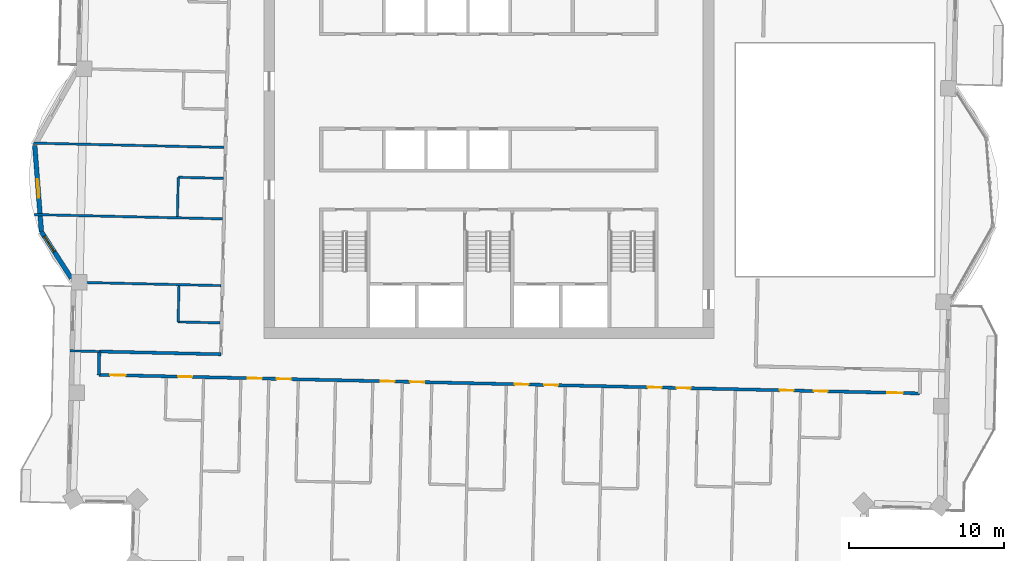
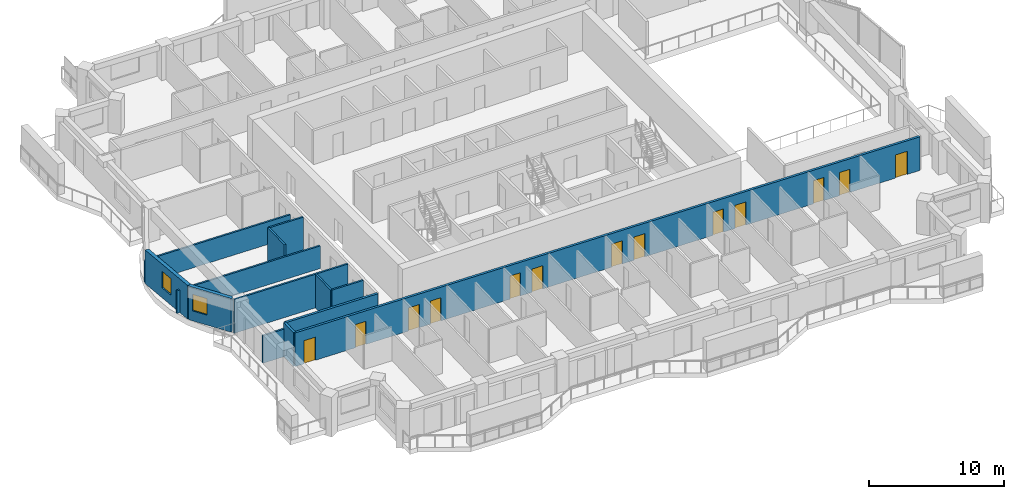
# One storey, part 7 of 17: 13 doors, 13 walls, 2 windows, 15 openings.
"""IFC4 building model written with IfcOpenShell, lengths in metres."""

from ifc_helpers import new_model, si_unit, direction, frame, frame_2d, origin, place, context, subcontext, project, spatial, rectangle, extrude, material, layer, layer_set, type_object, element, fill, save


model = new_model("IFC4")

# Units and contexts
model_context = context("Model", 3, precision=1e-05, world=origin(), true_north=direction((0.0, 1.0)))
body_context = subcontext(model_context, "Body", "Model", "MODEL_VIEW")
ifc_project = project(units=[si_unit("LENGTHUNIT", "METRE"), si_unit("AREAUNIT", "SQUARE_METRE"), si_unit("VOLUMEUNIT", "CUBIC_METRE"), si_unit("PLANEANGLEUNIT", "RADIAN"), si_unit("MASSUNIT", "GRAM", prefix="KILO")], contexts=[model_context])

# Site, building, storey
site_placement = place(None, origin())
site = spatial("IfcSite", under=ifc_project, at=site_placement, CompositionType="ELEMENT")
building_placement = place(site_placement, origin())
building = spatial("IfcBuilding", under=site, at=building_placement, Name="Mangrove Gate Tower", CompositionType="ELEMENT")
storey_placement = place(building_placement, frame((0.0, 0.0, 257.300048828125)))
storey = spatial("IfcBuildingStorey", under=building, at=storey_placement, Name="L65", CompositionType="ELEMENT", Elevation=257.300048828125)

# Wall
ifc_material_1 = material(Name="Gypsum board on steel stud, EI 60", Category="steel")
ifc_layer_1 = layer(ifc_material_1, 0.199951171875)
ifc_layer_set_1 = layer_set([ifc_layer_1], Name="Corridor wall EI 60")
wall_type_1 = type_object("IfcWallType", Name="Corridor wall EI 60", PredefinedType="PARTITIONING", material=ifc_layer_set_1)
wall_1_placement = place(storey_placement, frame((-25.1240234375, -13.846923828125, 0.0), z_axis=(0.0, 0.0, 1.0), x_axis=(0.022617910375, 0.999744182344, 0.0)))
element("IfcWall", 1, at=wall_1_placement, inside=storey, type_object=wall_type_1, Name="WALL-L65-032", PredefinedType="PARTITIONING", context=body_context, shape_type="SweptSolid", body=[
    extrude(rectangle(XDim=1.50048828125, YDim=0.199951171875, at=frame_2d((0.750244140625, 0.0))), origin(), (0.0, 0.0, 1.0), 3.050048828125),
])

# Wall, openings, doors
wall_2_placement = place(storey_placement, frame((-25.1201171875, -13.846923828125, 0.0), z_axis=(0.0, 0.0, 1.0), x_axis=(0.999742852445, -0.022676617578, 0.0)))
wall_2 = element("IfcWall", 2, at=wall_2_placement, inside=storey, type_object=wall_type_1, Name="WALL-L65-033", PredefinedType="PARTITIONING", context=body_context, shape_type="SweptSolid", body=[
    extrude(rectangle(XDim=52.872802734375, YDim=0.199951171875, at=frame_2d((26.4365234375, 0.0))), origin(), (0.0, 0.0, 1.0), 3.050048828125),
])
opening_1_placement = place(wall_2_placement, frame((0.72509765625, 0.0, 0.0)))
opening_1 = element("IfcOpeningElement", 3, at=opening_1_placement, cuts=wall_2, Name="Opening AD", PredefinedType="OPENING", context=body_context, shape_type="SweptSolid", body=[
    extrude(rectangle(XDim=1.0, YDim=2.10009765625, at=frame_2d((0.5, 1.050048828125))), frame((0.0, 0.10986328125, 0.0), z_axis=(0.0, -1.0, 0.0), x_axis=(1.0, 0.0, 0.0)), (0.0, 0.0, 1.0), 0.219970703125),
])
opening_2_placement = place(wall_2_placement, frame((5.10009765625, 0.0, 0.0)))
opening_2 = element("IfcOpeningElement", 4, at=opening_2_placement, cuts=wall_2, Name="Opening SD", PredefinedType="OPENING", context=body_context, shape_type="SweptSolid", body=[
    extrude(rectangle(XDim=0.89990234375, YDim=2.10009765625, at=frame_2d((0.449951171875, 1.050048828125))), frame((0.0, 0.10986328125, 0.0), z_axis=(0.0, -1.0, 0.0), x_axis=(1.0, 0.0, 0.0)), (0.0, 0.0, 1.0), 0.219970703125),
])
opening_3_placement = place(wall_2_placement, frame((9.60009765625, 0.0, 0.0)))
opening_3 = element("IfcOpeningElement", 5, at=opening_3_placement, cuts=wall_2, Name="Opening BD", PredefinedType="OPENING", context=body_context, shape_type="SweptSolid", body=[
    extrude(rectangle(XDim=0.89990234375, YDim=2.10009765625, at=frame_2d((0.449951171875, 1.050048828125))), frame((0.0, 0.10986328125, 0.0), z_axis=(0.0, -1.0, 0.0), x_axis=(1.0, 0.0, 0.0)), (0.0, 0.0, 1.0), 0.219970703125),
])
opening_4_placement = place(wall_2_placement, frame((11.449951171875, 0.0, 0.0)))
opening_4 = element("IfcOpeningElement", 6, at=opening_4_placement, cuts=wall_2, Name="Opening BD", PredefinedType="OPENING", context=body_context, shape_type="SweptSolid", body=[
    extrude(rectangle(XDim=0.89990234375, YDim=2.10009765625, at=frame_2d((0.449951171875, 1.050048828125))), frame((0.0, 0.10986328125, 0.0), z_axis=(0.0, -1.0, 0.0), x_axis=(1.0, 0.0, 0.0)), (0.0, 0.0, 1.0), 0.219970703125),
])
opening_5_placement = place(wall_2_placement, frame((18.14990234375, 0.0, 0.0)))
opening_5 = element("IfcOpeningElement", 7, at=opening_5_placement, cuts=wall_2, Name="Opening BD", PredefinedType="OPENING", context=body_context, shape_type="SweptSolid", body=[
    extrude(rectangle(XDim=0.89990234375, YDim=2.10009765625, at=frame_2d((0.449951171875, 1.050048828125))), frame((0.0, 0.10986328125, 0.0), z_axis=(0.0, -1.0, 0.0), x_axis=(1.0, 0.0, 0.0)), (0.0, 0.0, 1.0), 0.219970703125),
])
opening_6_placement = place(wall_2_placement, frame((20.050048828125, 0.0, 0.0)))
opening_6 = element("IfcOpeningElement", 8, at=opening_6_placement, cuts=wall_2, Name="Opening BD", PredefinedType="OPENING", context=body_context, shape_type="SweptSolid", body=[
    extrude(rectangle(XDim=0.89990234375, YDim=2.10009765625, at=frame_2d((0.449951171875, 1.050048828125))), frame((0.0, 0.10986328125, 0.0), z_axis=(0.0, -1.0, 0.0), x_axis=(1.0, 0.0, 0.0)), (0.0, 0.0, 1.0), 0.219970703125),
])
opening_7_placement = place(wall_2_placement, frame((26.77490234375, 0.0, 0.0)))
opening_7 = element("IfcOpeningElement", 9, at=opening_7_placement, cuts=wall_2, Name="Opening BD", PredefinedType="OPENING", context=body_context, shape_type="SweptSolid", body=[
    extrude(rectangle(XDim=0.89990234375, YDim=2.10009765625, at=frame_2d((0.449951171875, 1.050048828125))), frame((0.0, 0.10986328125, 0.0), z_axis=(0.0, -1.0, 0.0), x_axis=(1.0, 0.0, 0.0)), (0.0, 0.0, 1.0), 0.219970703125),
])
opening_8_placement = place(wall_2_placement, frame((28.675048828125, 0.0, 0.0)))
opening_8 = element("IfcOpeningElement", 10, at=opening_8_placement, cuts=wall_2, Name="Opening BD", PredefinedType="OPENING", context=body_context, shape_type="SweptSolid", body=[
    extrude(rectangle(XDim=0.89990234375, YDim=2.10009765625, at=frame_2d((0.449951171875, 1.050048828125))), frame((0.0, 0.10986328125, 0.0), z_axis=(0.0, -1.0, 0.0), x_axis=(1.0, 0.0, 0.0)), (0.0, 0.0, 1.0), 0.219970703125),
])
opening_9_placement = place(wall_2_placement, frame((35.35009765625, 0.0, 0.0)))
opening_9 = element("IfcOpeningElement", 11, at=opening_9_placement, cuts=wall_2, Name="Opening BD", PredefinedType="OPENING", context=body_context, shape_type="SweptSolid", body=[
    extrude(rectangle(XDim=0.89990234375, YDim=2.10009765625, at=frame_2d((0.449951171875, 1.050048828125))), frame((0.0, 0.10986328125, 0.0), z_axis=(0.0, -1.0, 0.0), x_axis=(1.0, 0.0, 0.0)), (0.0, 0.0, 1.0), 0.219970703125),
])
opening_10_placement = place(wall_2_placement, frame((37.22509765625, 0.0, 0.0)))
opening_10 = element("IfcOpeningElement", 12, at=opening_10_placement, cuts=wall_2, Name="Opening BD", PredefinedType="OPENING", context=body_context, shape_type="SweptSolid", body=[
    extrude(rectangle(XDim=0.89990234375, YDim=2.10009765625, at=frame_2d((0.449951171875, 1.050048828125))), frame((0.0, 0.10986328125, 0.0), z_axis=(0.0, -1.0, 0.0), x_axis=(1.0, 0.0, 0.0)), (0.0, 0.0, 1.0), 0.219970703125),
])
opening_11_placement = place(wall_2_placement, frame((43.85009765625, 0.0, 0.0)))
opening_11 = element("IfcOpeningElement", 13, at=opening_11_placement, cuts=wall_2, Name="Opening BD", PredefinedType="OPENING", context=body_context, shape_type="SweptSolid", body=[
    extrude(rectangle(XDim=0.89990234375, YDim=2.10009765625, at=frame_2d((0.449951171875, 1.050048828125))), frame((0.0, 0.10986328125, 0.0), z_axis=(0.0, -1.0, 0.0), x_axis=(1.0, 0.0, 0.0)), (0.0, 0.0, 1.0), 0.219970703125),
])
opening_12_placement = place(wall_2_placement, frame((50.785888671875, 0.0, 0.0)))
opening_12 = element("IfcOpeningElement", 14, at=opening_12_placement, cuts=wall_2, Name="Opening AD", PredefinedType="OPENING", context=body_context, shape_type="SweptSolid", body=[
    extrude(rectangle(XDim=1.0, YDim=2.10009765625, at=frame_2d((0.5, 1.050048828125))), frame((0.0, 0.10986328125, 0.0), z_axis=(0.0, -1.0, 0.0), x_axis=(1.0, 0.0, 0.0)), (0.0, 0.0, 1.0), 0.219970703125),
])
opening_13_placement = place(wall_2_placement, frame((46.050048828125, 0.0, 0.0)))
opening_13 = element("IfcOpeningElement", 15, at=opening_13_placement, cuts=wall_2, Name="Opening SD", PredefinedType="OPENING", context=body_context, shape_type="SweptSolid", body=[
    extrude(rectangle(XDim=0.89990234375, YDim=2.10009765625, at=frame_2d((0.449951171875, 1.050048828125))), frame((0.0, 0.10986328125, 0.0), z_axis=(0.0, -1.0, 0.0), x_axis=(1.0, 0.0, 0.0)), (0.0, 0.0, 1.0), 0.219970703125),
])
ifc_material_2 = material(Name="Timber door leaf", Category="wood")
door_type_1 = type_object("IfcDoorType", Name="Amenity door 1000", OperationType="SINGLE_SWING_LEFT", PredefinedType="DOOR", material=ifc_material_2)
door_1_placement = place(opening_1_placement, origin())
door_1 = element("IfcDoor", 16, at=door_1_placement, inside=storey, type_object=door_type_1, Name="DOOR-L65-GAM-c1a", OperationType="SINGLE_SWING_LEFT", OverallHeight=2.10009765625, OverallWidth=1.0, PredefinedType="DOOR", context=body_context, shape_type="SweptSolid", body=[
    extrude(rectangle(XDim=1.0, YDim=2.10009765625, at=frame_2d((0.5, 1.050048828125))), frame((0.0, 0.02490234375, 0.0), z_axis=(0.0, -1.0, 0.0), x_axis=(1.0, 0.0, 0.0)), (0.0, 0.0, 1.0), 0.050048828125),
])
fill(opening_1, door_1)
door_2_placement = place(opening_12_placement, origin())
door_2 = element("IfcDoor", 17, at=door_2_placement, inside=storey, type_object=door_type_1, Name="DOOR-L65-KIT-c3a", OperationType="SINGLE_SWING_RIGHT", OverallHeight=2.10009765625, OverallWidth=1.0, PredefinedType="DOOR", context=body_context, shape_type="SweptSolid", body=[
    extrude(rectangle(XDim=1.0, YDim=2.10009765625, at=frame_2d((0.5, 1.050048828125))), frame((0.0, 0.02490234375, 0.0), z_axis=(0.0, -1.0, 0.0), x_axis=(1.0, 0.0, 0.0)), (0.0, 0.0, 1.0), 0.050048828125),
])
fill(opening_12, door_2)
ifc_material_3 = material(Name="Timber door leaf", Category="wood")
door_type_2 = type_object("IfcDoorType", Name="Bedroom door 900", OperationType="SINGLE_SWING_LEFT", PredefinedType="DOOR", material=ifc_material_3)
door_3_placement = place(opening_3_placement, origin())
door_3 = element("IfcDoor", 18, at=door_3_placement, inside=storey, type_object=door_type_2, Name="DOOR-L65-BED-c101", OperationType="SINGLE_SWING_LEFT", OverallHeight=2.10009765625, OverallWidth=0.89990234375, PredefinedType="DOOR", context=body_context, shape_type="SweptSolid", body=[
    extrude(rectangle(XDim=0.89990234375, YDim=2.10009765625, at=frame_2d((0.449951171875, 1.050048828125))), frame((0.0, 0.02490234375, 0.0), z_axis=(0.0, -1.0, 0.0), x_axis=(1.0, 0.0, 0.0)), (0.0, 0.0, 1.0), 0.050048828125),
])
fill(opening_3, door_3)
door_4_placement = place(opening_4_placement, origin())
door_4 = element("IfcDoor", 19, at=door_4_placement, inside=storey, type_object=door_type_2, Name="DOOR-L65-BED-c102", OperationType="SINGLE_SWING_RIGHT", OverallHeight=2.10009765625, OverallWidth=0.89990234375, PredefinedType="DOOR", context=body_context, shape_type="SweptSolid", body=[
    extrude(rectangle(XDim=0.89990234375, YDim=2.10009765625, at=frame_2d((0.449951171875, 1.050048828125))), frame((0.0, 0.02490234375, 0.0), z_axis=(0.0, -1.0, 0.0), x_axis=(1.0, 0.0, 0.0)), (0.0, 0.0, 1.0), 0.050048828125),
])
fill(opening_4, door_4)
door_5_placement = place(opening_5_placement, origin())
door_5 = element("IfcDoor", 20, at=door_5_placement, inside=storey, type_object=door_type_2, Name="DOOR-L65-BED-c103", OperationType="SINGLE_SWING_LEFT", OverallHeight=2.10009765625, OverallWidth=0.89990234375, PredefinedType="DOOR", context=body_context, shape_type="SweptSolid", body=[
    extrude(rectangle(XDim=0.89990234375, YDim=2.10009765625, at=frame_2d((0.449951171875, 1.050048828125))), frame((0.0, 0.02490234375, 0.0), z_axis=(0.0, -1.0, 0.0), x_axis=(1.0, 0.0, 0.0)), (0.0, 0.0, 1.0), 0.050048828125),
])
fill(opening_5, door_5)
door_6_placement = place(opening_6_placement, origin())
door_6 = element("IfcDoor", 21, at=door_6_placement, inside=storey, type_object=door_type_2, Name="DOOR-L65-BED-c104", OperationType="SINGLE_SWING_RIGHT", OverallHeight=2.10009765625, OverallWidth=0.89990234375, PredefinedType="DOOR", context=body_context, shape_type="SweptSolid", body=[
    extrude(rectangle(XDim=0.89990234375, YDim=2.10009765625, at=frame_2d((0.449951171875, 1.050048828125))), frame((0.0, 0.02490234375, 0.0), z_axis=(0.0, -1.0, 0.0), x_axis=(1.0, 0.0, 0.0)), (0.0, 0.0, 1.0), 0.050048828125),
])
fill(opening_6, door_6)
door_7_placement = place(opening_7_placement, origin())
door_7 = element("IfcDoor", 22, at=door_7_placement, inside=storey, type_object=door_type_2, Name="DOOR-L65-BED-c205", OperationType="SINGLE_SWING_LEFT", OverallHeight=2.10009765625, OverallWidth=0.89990234375, PredefinedType="DOOR", context=body_context, shape_type="SweptSolid", body=[
    extrude(rectangle(XDim=0.89990234375, YDim=2.10009765625, at=frame_2d((0.449951171875, 1.050048828125))), frame((0.0, 0.02490234375, 0.0), z_axis=(0.0, -1.0, 0.0), x_axis=(1.0, 0.0, 0.0)), (0.0, 0.0, 1.0), 0.050048828125),
])
fill(opening_7, door_7)
door_8_placement = place(opening_8_placement, origin())
door_8 = element("IfcDoor", 23, at=door_8_placement, inside=storey, type_object=door_type_2, Name="DOOR-L65-BED-c206", OperationType="SINGLE_SWING_RIGHT", OverallHeight=2.10009765625, OverallWidth=0.89990234375, PredefinedType="DOOR", context=body_context, shape_type="SweptSolid", body=[
    extrude(rectangle(XDim=0.89990234375, YDim=2.10009765625, at=frame_2d((0.449951171875, 1.050048828125))), frame((0.0, 0.02490234375, 0.0), z_axis=(0.0, -1.0, 0.0), x_axis=(1.0, 0.0, 0.0)), (0.0, 0.0, 1.0), 0.050048828125),
])
fill(opening_8, door_8)
door_9_placement = place(opening_9_placement, origin())
door_9 = element("IfcDoor", 24, at=door_9_placement, inside=storey, type_object=door_type_2, Name="DOOR-L65-BED-c207", OperationType="SINGLE_SWING_LEFT", OverallHeight=2.10009765625, OverallWidth=0.89990234375, PredefinedType="DOOR", context=body_context, shape_type="SweptSolid", body=[
    extrude(rectangle(XDim=0.89990234375, YDim=2.10009765625, at=frame_2d((0.449951171875, 1.050048828125))), frame((0.0, 0.02490234375, 0.0), z_axis=(0.0, -1.0, 0.0), x_axis=(1.0, 0.0, 0.0)), (0.0, 0.0, 1.0), 0.050048828125),
])
fill(opening_9, door_9)
door_10_placement = place(opening_10_placement, origin())
door_10 = element("IfcDoor", 25, at=door_10_placement, inside=storey, type_object=door_type_2, Name="DOOR-L65-BED-c308", OperationType="SINGLE_SWING_RIGHT", OverallHeight=2.10009765625, OverallWidth=0.89990234375, PredefinedType="DOOR", context=body_context, shape_type="SweptSolid", body=[
    extrude(rectangle(XDim=0.89990234375, YDim=2.10009765625, at=frame_2d((0.449951171875, 1.050048828125))), frame((0.0, 0.02490234375, 0.0), z_axis=(0.0, -1.0, 0.0), x_axis=(1.0, 0.0, 0.0)), (0.0, 0.0, 1.0), 0.050048828125),
])
fill(opening_10, door_10)
door_11_placement = place(opening_11_placement, origin())
door_11 = element("IfcDoor", 26, at=door_11_placement, inside=storey, type_object=door_type_2, Name="DOOR-L65-BED-c309", OperationType="SINGLE_SWING_LEFT", OverallHeight=2.10009765625, OverallWidth=0.89990234375, PredefinedType="DOOR", context=body_context, shape_type="SweptSolid", body=[
    extrude(rectangle(XDim=0.89990234375, YDim=2.10009765625, at=frame_2d((0.449951171875, 1.050048828125))), frame((0.0, 0.02490234375, 0.0), z_axis=(0.0, -1.0, 0.0), x_axis=(1.0, 0.0, 0.0)), (0.0, 0.0, 1.0), 0.050048828125),
])
fill(opening_11, door_11)
ifc_material_4 = material(Name="Timber door leaf", Category="wood")
door_type_3 = type_object("IfcDoorType", Name="Service room door 900", OperationType="SINGLE_SWING_LEFT", PredefinedType="DOOR", material=ifc_material_4)
door_12_placement = place(opening_2_placement, origin())
door_12 = element("IfcDoor", 27, at=door_12_placement, inside=storey, type_object=door_type_3, Name="DOOR-L65-WC-c1a", OperationType="SINGLE_SWING_LEFT", OverallHeight=2.10009765625, OverallWidth=0.89990234375, PredefinedType="DOOR", context=body_context, shape_type="SweptSolid", body=[
    extrude(rectangle(XDim=0.89990234375, YDim=2.10009765625, at=frame_2d((0.449951171875, 1.050048828125))), frame((0.0, 0.02490234375, 0.0), z_axis=(0.0, -1.0, 0.0), x_axis=(1.0, 0.0, 0.0)), (0.0, 0.0, 1.0), 0.050048828125),
])
fill(opening_2, door_12)
door_13_placement = place(opening_13_placement, origin())
door_13 = element("IfcDoor", 28, at=door_13_placement, inside=storey, type_object=door_type_3, Name="DOOR-L65-AWC-c3a", OperationType="SINGLE_SWING_RIGHT", OverallHeight=2.10009765625, OverallWidth=0.89990234375, PredefinedType="DOOR", context=body_context, shape_type="SweptSolid", body=[
    extrude(rectangle(XDim=0.89990234375, YDim=2.10009765625, at=frame_2d((0.449951171875, 1.050048828125))), frame((0.0, 0.02490234375, 0.0), z_axis=(0.0, -1.0, 0.0), x_axis=(1.0, 0.0, 0.0)), (0.0, 0.0, 1.0), 0.050048828125),
])
fill(opening_13, door_13)

# Wall
wall_3_placement = place(storey_placement, frame((-25.0859375, -12.346923828125, 0.0), z_axis=(0.0, 0.0, 1.0), x_axis=(0.999741690667, -0.022727779103, 0.0)))
element("IfcWall", 29, at=wall_3_placement, inside=storey, type_object=wall_type_1, Name="WALL-L65-036", PredefinedType="PARTITIONING", context=body_context, shape_type="SweptSolid", body=[
    extrude(rectangle(XDim=7.830810546875, YDim=0.199951171875, at=frame_2d((3.91552734375, 0.0))), origin(), (0.0, 0.0, 1.0), 3.050048828125),
])

# Wall, opening, window
ifc_material_5 = material(Name="Limestone", Category="masonry")
ifc_layer_2 = layer(ifc_material_5, 0.0400390625, Name="Limestone cladding")
ifc_material_6 = material(Name="Ventilated air gap")
ifc_layer_3 = layer(ifc_material_6, 0.0400390625, Name="Ventilated cavity")
ifc_material_7 = material(Name="Mineral wool insulation")
ifc_layer_4 = layer(ifc_material_7, 0.06005859375, Name="Insulation")
ifc_material_8 = material(Name="Breather membrane")
ifc_layer_5 = layer(ifc_material_8, 0.001953125, Name="Breather membrane")
ifc_material_9 = material(Name="Concrete C20/25 blockwork", Category="masonry")
ifc_layer_6 = layer(ifc_material_9, 0.14990234375, Name="Blockwork backing wall")
ifc_material_10 = material(Name="Gypsum plaster")
ifc_layer_7 = layer(ifc_material_10, 0.008056640625, Name="Internal plaster")
ifc_layer_set_2 = layer_set([ifc_layer_2, ifc_layer_3, ifc_layer_4, ifc_layer_5, ifc_layer_6, ifc_layer_7], Name="External wall 300 limestone cladding")
wall_type_2 = type_object("IfcWallType", Name="External wall 300 limestone cladding", PredefinedType="SOLIDWALL", material=ifc_layer_set_2)
wall_4_placement = place(storey_placement, frame((-29.2470703125, 0.924072265625, 0.0), z_axis=(0.0, 0.0, 1.0), x_axis=(0.076961115238, -0.997034095075, 0.0)))
wall_4 = element("IfcWall", 30, at=wall_4_placement, inside=storey, type_object=wall_type_2, Name="WALL-L65-W9f2", PredefinedType="SOLIDWALL", context=body_context, shape_type="SweptSolid", body=[
    extrude(rectangle(XDim=5.57373046875, YDim=0.300048828125, at=frame_2d((2.786865234375, 0.0))), origin(), (0.0, 0.0, 1.0), 3.050048828125),
])
opening_14_placement = place(wall_4_placement, frame((2.18603515625, 0.0, 0.89990234375)))
opening_14 = element("IfcOpeningElement", 31, at=opening_14_placement, cuts=wall_4, Name="Opening W1", PredefinedType="OPENING", context=body_context, shape_type="SweptSolid", body=[
    extrude(rectangle(XDim=1.199951171875, YDim=1.5, at=frame_2d((0.60009765625, 0.75))), frame((0.0, 0.159912109375, 0.0), z_axis=(0.0, -1.0, 0.0), x_axis=(1.0, 0.0, 0.0)), (0.0, 0.0, 1.0), 0.320068359375),
])
ifc_material_11 = material(Name="Aluminium frame with double-glazed low-e glass", Category="aluminium")
window_type = type_object("IfcWindowType", Name="Side lite 1200x1500", PartitioningType="SINGLE_PANEL", PredefinedType="WINDOW", material=ifc_material_11)
window_1_placement = place(opening_14_placement, origin())
window_1 = element("IfcWindow", 32, at=window_1_placement, inside=storey, type_object=window_type, Name="WIN-L65-W9f2", OverallHeight=1.5, OverallWidth=1.199951171875, PartitioningType="SINGLE_PANEL", PredefinedType="WINDOW", context=body_context, shape_type="SweptSolid", body=[
    extrude(rectangle(XDim=1.199951171875, YDim=1.5, at=frame_2d((0.60009765625, 0.75))), frame((0.0, 0.030029296875, 0.0), z_axis=(0.0, -1.0, 0.0), x_axis=(1.0, 0.0, 0.0)), (0.0, 0.0, 1.0), 0.06005859375),
])
fill(opening_14, window_1)

wall_5_placement = place(storey_placement, frame((-28.818115234375, -4.633056640625, 0.0), z_axis=(0.0, 0.0, 1.0), x_axis=(0.540633100578, -0.841258492117, 0.0)))
wall_5 = element("IfcWall", 33, at=wall_5_placement, inside=storey, type_object=wall_type_2, Name="WALL-L65-W9f3", PredefinedType="SOLIDWALL", context=body_context, shape_type="SweptSolid", body=[
    extrude(rectangle(XDim=3.568359375, YDim=0.300048828125, at=frame_2d((1.7841796875, 0.0))), origin(), (0.0, 0.0, 1.0), 3.050048828125),
])
opening_15_placement = place(wall_5_placement, frame((0.337890625, 0.0, 0.89990234375)))
opening_15 = element("IfcOpeningElement", 34, at=opening_15_placement, cuts=wall_5, Name="Opening W1", PredefinedType="OPENING", context=body_context, shape_type="SweptSolid", body=[
    extrude(rectangle(XDim=1.199951171875, YDim=1.5, at=frame_2d((0.60009765625, 0.75))), frame((0.0, 0.159912109375, 0.0), z_axis=(0.0, -1.0, 0.0), x_axis=(1.0, 0.0, 0.0)), (0.0, 0.0, 1.0), 0.320068359375),
])
window_2_placement = place(opening_15_placement, origin())
window_2 = element("IfcWindow", 35, at=window_2_placement, inside=storey, type_object=window_type, Name="WIN-L65-W9f3", OverallHeight=1.5, OverallWidth=1.199951171875, PartitioningType="SINGLE_PANEL", PredefinedType="WINDOW", context=body_context, shape_type="SweptSolid", body=[
    extrude(rectangle(XDim=1.199951171875, YDim=1.5, at=frame_2d((0.60009765625, 0.75))), frame((0.0, 0.030029296875, 0.0), z_axis=(0.0, -1.0, 0.0), x_axis=(1.0, 0.0, 0.0)), (0.0, 0.0, 1.0), 0.06005859375),
])
fill(opening_15, window_2)

# Walls
ifc_material_12 = material(Name="Gypsum board on steel stud, EI 60", Category="steel")
ifc_layer_8 = layer(ifc_material_12, 0.14990234375)
ifc_layer_set_3 = layer_set([ifc_layer_8], Name="Party wall 150 EI 60")
wall_type_3 = type_object("IfcWallType", Name="Party wall 150 EI 60", PredefinedType="PARTITIONING", material=ifc_layer_set_3)
wall_6_placement = place(storey_placement, frame((-26.985107421875, -12.303955078125, 0.0), z_axis=(0.0, 0.0, 1.0), x_axis=(0.999744152544, -0.022619227516, 0.0)))
element("IfcWall", 36, at=wall_6_placement, inside=storey, type_object=wall_type_3, Name="WALL-L65-035", PredefinedType="PARTITIONING", context=body_context, shape_type="SweptSolid", body=[
    extrude(rectangle(XDim=1.899658203125, YDim=0.14990234375, at=frame_2d((0.94970703125, 0.0))), origin(), (0.0, 0.0, 1.0), 2.5),
])
wall_7_placement = place(storey_placement, frame((-20.010009765625, -10.44189453125, 0.0), z_axis=(0.0, 0.0, 1.0), x_axis=(0.999744396973, -0.02260842146, 0.0)))
element("IfcWall", 37, at=wall_7_placement, inside=storey, type_object=wall_type_3, Name="WALL-L65-041", PredefinedType="PARTITIONING", context=body_context, shape_type="SweptSolid", body=[
    extrude(rectangle(XDim=2.69970703125, YDim=0.14990234375, at=frame_2d((1.349853515625, 0.0))), origin(), (0.0, 0.0, 1.0), 3.050048828125),
])
wall_8_placement = place(storey_placement, frame((-20.014892578125, -10.43701171875, 0.0), z_axis=(0.0, 0.0, 1.0), x_axis=(0.022781023197, 0.999740478815, 0.0)))
element("IfcWall", 38, at=wall_8_placement, inside=storey, type_object=wall_type_3, Name="WALL-L65-042", PredefinedType="PARTITIONING", context=body_context, shape_type="SweptSolid", body=[
    extrude(rectangle(XDim=2.325439453125, YDim=0.14990234375, at=frame_2d((1.16259765625, 0.0))), origin(), (0.0, 0.0, 1.0), 3.050048828125),
])
wall_9_placement = place(storey_placement, frame((-26.885009765625, -7.885009765625, 0.0), z_axis=(0.0, 0.0, 1.0), x_axis=(0.999741468995, -0.022737527832, 0.0)))
element("IfcWall", 39, at=wall_9_placement, inside=storey, type_object=wall_type_3, Name="WALL-L65-043", PredefinedType="PARTITIONING", context=body_context, shape_type="SweptSolid", body=[
    extrude(rectangle(XDim=9.63134765625, YDim=0.14990234375, at=frame_2d((4.815673828125, 0.0))), origin(), (0.0, 0.0, 1.0), 3.050048828125),
])
wall_10_placement = place(storey_placement, frame((-29.2890625, -3.530029296875, 0.0), z_axis=(0.0, 0.0, 1.0), x_axis=(0.999743298181, -0.02265695791, 0.0)))
element("IfcWall", 40, at=wall_10_placement, inside=storey, type_object=wall_type_3, Name="WALL-L65-044", PredefinedType="PARTITIONING", context=body_context, shape_type="SweptSolid", body=[
    extrude(rectangle(XDim=12.13330078125, YDim=0.14990234375, at=frame_2d((6.066650390625, 0.0))), origin(), (0.0, 0.0, 1.0), 2.050048828125),
])
wall_11_placement = place(storey_placement, frame((-20.06103515625, -3.658935546875, 0.0), z_axis=(0.0, 0.0, 1.0), x_axis=(0.022629142889, 0.99974392816, 0.0)))
element("IfcWall", 41, at=wall_11_placement, inside=storey, type_object=wall_type_3, Name="WALL-L65-045", PredefinedType="PARTITIONING", context=body_context, shape_type="SweptSolid", body=[
    extrude(rectangle(XDim=2.524658203125, YDim=0.14990234375, at=frame_2d((1.26220703125, 0.0))), origin(), (0.0, 0.0, 1.0), 3.050048828125),
])
wall_12_placement = place(storey_placement, frame((-19.9990234375, -1.1298828125, 0.0), z_axis=(0.0, 0.0, 1.0), x_axis=(0.999739657619, -0.022817032779, 0.0)))
element("IfcWall", 42, at=wall_12_placement, inside=storey, type_object=wall_type_3, Name="WALL-L65-046", PredefinedType="PARTITIONING", context=body_context, shape_type="SweptSolid", body=[
    extrude(rectangle(XDim=2.899658203125, YDim=0.14990234375, at=frame_2d((1.44970703125, 0.0))), origin(), (0.0, 0.0, 1.0), 3.050048828125),
])
wall_13_placement = place(storey_placement, frame((-29.35302734375, 1.072998046875, 0.0), z_axis=(0.0, 0.0, 1.0), x_axis=(0.999742705664, -0.02268308777, 0.0)))
element("IfcWall", 43, at=wall_13_placement, inside=storey, type_object=wall_type_3, Name="WALL-L65-047", PredefinedType="PARTITIONING", context=body_context, shape_type="SweptSolid", body=[
    extrude(rectangle(XDim=12.30224609375, YDim=0.14990234375, at=frame_2d((6.151123046875, 0.0))), origin(), (0.0, 0.0, 1.0), 2.050048828125),
])

save(model, "model.ifc")
